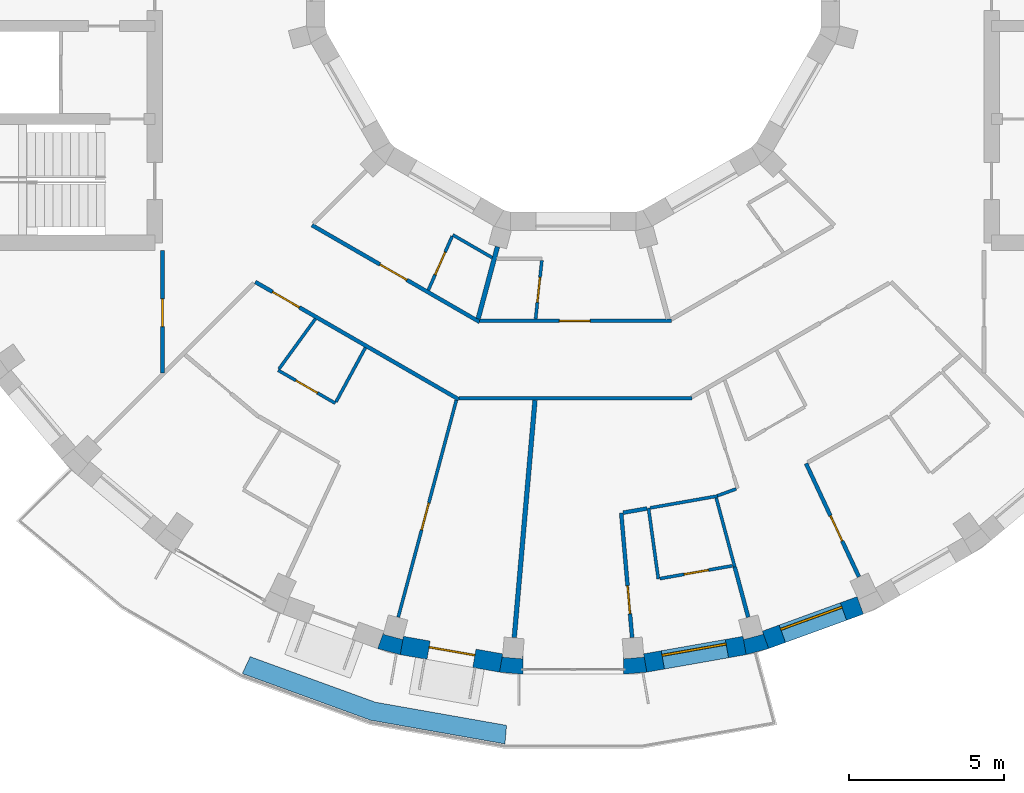
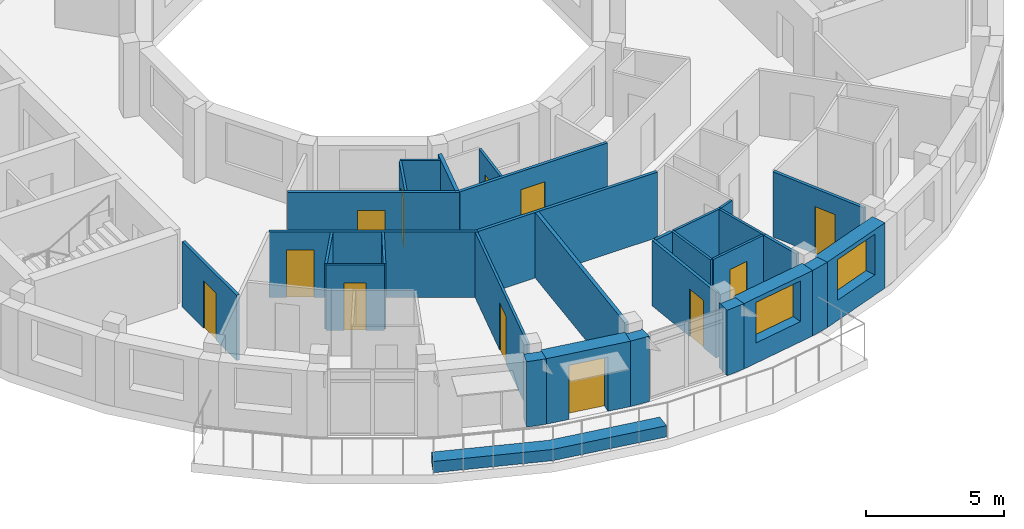
# One storey, part 4 of 12: 31 walls, 12 doors, 2 windows, 14 openings.
"""IFC4 building model written with IfcOpenShell, lengths in metres."""

from ifc_helpers import new_model, si_unit, direction, frame, frame_2d, origin, place, context, subcontext, project, spatial, polyline, rectangle, outline, extrude, material, layer, layer_set, type_object, element, fill, save


model = new_model("IFC4")

# Units and contexts
model_context = context("Model", 3, precision=1e-05, world=origin(), true_north=direction((0.0, 1.0)))
body_context = subcontext(model_context, "Body", "Model", "MODEL_VIEW")
ifc_project = project(units=[si_unit("LENGTHUNIT", "METRE"), si_unit("AREAUNIT", "SQUARE_METRE"), si_unit("VOLUMEUNIT", "CUBIC_METRE"), si_unit("PLANEANGLEUNIT", "RADIAN"), si_unit("MASSUNIT", "GRAM", prefix="KILO")], contexts=[model_context])

# Site, building, storey
site_placement = place(None, origin())
site = spatial("IfcSite", under=ifc_project, at=site_placement, CompositionType="ELEMENT")
building_placement = place(site_placement, origin())
building = spatial("IfcBuilding", under=site, at=building_placement, Name="Saqina Gate Tower", CompositionType="ELEMENT")
storey_placement = place(building_placement, frame((0.0, 0.0, 269.300048828125)))
storey = spatial("IfcBuildingStorey", under=building, at=storey_placement, Name="L77", CompositionType="ELEMENT", Elevation=269.300048828125)

# Walls
ifc_material_1 = material(Name="Brick masonry (buff)", Category="masonry")
wall_type_1 = type_object("IfcWallType", Name="BRICK PIER COPING BUFF", PredefinedType="SOLIDWALL", material=ifc_material_1)
wall_1_placement = place(storey_placement, origin())
element("IfcWall", 1, at=wall_1_placement, inside=storey, type_object=wall_type_1, Name="Pier cap L77 column 26", PredefinedType="SOLIDWALL", context=body_context, shape_type="SweptSolid", body=[
    extrude(outline(polyline([(-5.579833984375, -22.281982421875), (-5.4755859375, -21.691162109375), (-5.5029296875, -21.793212890625), (-6.130859375, -21.625), (-6.103515625, -21.52294921875), (-6.30859375, -22.0869140625), (-5.579833984375, -22.281982421875)])), origin(), (0.0, 0.0, 1.0), 2.89990234375),
])
wall_2_placement = place(storey_placement, origin())
element("IfcWall", 2, at=wall_2_placement, inside=storey, type_object=wall_type_1, Name="Pier cap L77 column 27", PredefinedType="SOLIDWALL", context=body_context, shape_type="SweptSolid", body=[
    extrude(outline(polyline([(-2.377685546875, -22.8466796875), (-1.625732421875, -22.91259765625), (-1.625732421875, -22.3125), (-1.635009765625, -22.417724609375), (-2.28271484375, -22.361083984375), (-2.2734375, -22.255859375), (-2.377685546875, -22.8466796875)])), origin(), (0.0, 0.0, 1.0), 2.89990234375),
])
wall_3_placement = place(storey_placement, origin())
element("IfcWall", 3, at=wall_3_placement, inside=storey, type_object=wall_type_1, Name="Pier cap L77 column 28", PredefinedType="SOLIDWALL", context=body_context, shape_type="SweptSolid", body=[
    extrude(outline(polyline([(1.625732421875, -22.91259765625), (2.377685546875, -22.8466796875), (2.2734375, -22.255859375), (2.28271484375, -22.361083984375), (1.635009765625, -22.417724609375), (1.625732421875, -22.3125), (1.625732421875, -22.91259765625)])), origin(), (0.0, 0.0, 1.0), 2.89990234375),
])
wall_4_placement = place(storey_placement, origin())
element("IfcWall", 4, at=wall_4_placement, inside=storey, type_object=wall_type_1, Name="Pier cap L77 column 29", PredefinedType="SOLIDWALL", context=body_context, shape_type="SweptSolid", body=[
    extrude(outline(polyline([(6.30859375, -22.0869140625), (6.103515625, -21.52294921875), (6.130859375, -21.625), (5.5029296875, -21.793212890625), (5.4755859375, -21.691162109375), (5.579833984375, -22.281982421875), (6.30859375, -22.0869140625)])), origin(), (0.0, 0.0, 1.0), 2.89990234375),
])

# Wall, opening, door
ifc_material_2 = material(Name="Brick masonry (buff)", Category="masonry")
ifc_layer_1 = layer(ifc_material_2, 0.60009765625)
ifc_layer_set_1 = layer_set([ifc_layer_1], Name="FW-BRICK-BUFF")
wall_type_2 = type_object("IfcWallType", Name="FW-BRICK-BUFF", PredefinedType="SOLIDWALL", material=ifc_layer_set_1)
wall_5_placement = place(storey_placement, frame((-5.52783203125, -21.986572265625, 0.0), z_axis=(0.0, 0.0, 1.0), x_axis=(0.984806225186, -0.173656842178, 0.0)))
wall_5 = element("IfcWall", 5, at=wall_5_placement, inside=storey, type_object=wall_type_2, Name="Facade wall L77 facet 26", PredefinedType="SOLIDWALL", context=body_context, shape_type="SweptSolid", body=[
    extrude(rectangle(XDim=3.251708984375, YDim=0.60009765625, at=frame_2d((1.6259765625, 0.0))), origin(), (0.0, 0.0, 1.0), 2.89990234375),
])
opening_1_placement = place(wall_5_placement, frame((0.875732421875, 0.0, 0.0)))
opening_1 = element("IfcOpeningElement", 6, at=opening_1_placement, cuts=wall_5, Name="Opening G23-D81", PredefinedType="OPENING", context=body_context, shape_type="SweptSolid", body=[
    extrude(rectangle(XDim=1.5, YDim=2.39990234375, at=frame_2d((0.75, 1.199951171875))), frame((0.0, 0.31201171875, 0.0), z_axis=(0.0, -1.0, 0.0), x_axis=(1.0, 0.0, 0.0)), (0.0, 0.0, 1.0), 0.6240234375),
])
ifc_material_3 = material(Name="Aluminium glazing", Category="aluminium")
door_type_1 = type_object("IfcDoorType", Name="GD-D", OperationType="DOUBLE_DOOR_SINGLE_SWING", PredefinedType="DOOR", material=ifc_material_3)
door_1_placement = place(opening_1_placement, frame((1.5, 0.0, 0.0), z_axis=(0.0, 0.0, 1.0), x_axis=(-1.0, 0.0, 0.0)))
door_1 = element("IfcDoor", 7, at=door_1_placement, inside=storey, type_object=door_type_1, Name="Terrace door L77 facet 26", OperationType="DOUBLE_DOOR_SINGLE_SWING", OverallHeight=2.39990234375, OverallWidth=1.5, PredefinedType="DOOR", context=body_context, shape_type="SweptSolid", body=[
    extrude(rectangle(XDim=1.5, YDim=2.39990234375, at=frame_2d((0.75, 1.199951171875))), frame((0.0, -0.0751953125, 0.0), z_axis=(0.0, -1.0, 0.0), x_axis=(1.0, 0.0, 0.0)), (0.0, 0.0, 1.0), 0.050048828125),
])
fill(opening_1, door_1)

# Wall, opening, window
wall_6_placement = place(storey_placement, frame((2.325439453125, -22.55126953125, 0.0), z_axis=(0.0, 0.0, 1.0), x_axis=(0.984806225186, 0.173656842178, 0.0)))
wall_6 = element("IfcWall", 8, at=wall_6_placement, inside=storey, type_object=wall_type_2, Name="Facade wall L77 facet 28", PredefinedType="SOLIDWALL", context=body_context, shape_type="SweptSolid", body=[
    extrude(rectangle(XDim=3.251708984375, YDim=0.60009765625, at=frame_2d((1.6259765625, 0.0))), origin(), (0.0, 0.0, 1.0), 2.89990234375),
])
opening_2_placement = place(wall_6_placement, frame((0.57568359375, 0.0, 0.89990234375)))
opening_2 = element("IfcOpeningElement", 9, at=opening_2_placement, cuts=wall_6, Name="Opening G23-W17", PredefinedType="OPENING", context=body_context, shape_type="SweptSolid", body=[
    extrude(rectangle(XDim=2.10009765625, YDim=1.800048828125, at=frame_2d((1.050048828125, 0.89990234375))), frame((0.0, 0.31201171875, 0.0), z_axis=(0.0, -1.0, 0.0), x_axis=(1.0, 0.0, 0.0)), (0.0, 0.0, 1.0), 0.6240234375),
])
ifc_material_4 = material(Name="Aluminium glazing", Category="aluminium")
window_type = type_object("IfcWindowType", Name="WN-D", PartitioningType="SINGLE_PANEL", PredefinedType="WINDOW", material=ifc_material_4)
window_1_placement = place(opening_2_placement, origin())
window_1 = element("IfcWindow", 10, at=window_1_placement, inside=storey, type_object=window_type, Name="Window L77 facet 28", OverallHeight=1.800048828125, OverallWidth=2.10009765625, PartitioningType="SINGLE_PANEL", PredefinedType="WINDOW", context=body_context, shape_type="SweptSolid", body=[
    extrude(rectangle(XDim=2.10009765625, YDim=1.800048828125, at=frame_2d((1.050048828125, 0.89990234375))), frame((0.0, 0.179931640625, 0.0), z_axis=(0.0, -1.0, 0.0), x_axis=(1.0, 0.0, 0.0)), (0.0, 0.0, 1.0), 0.06005859375),
])
fill(opening_2, window_1)

wall_7_placement = place(storey_placement, frame((6.2060546875, -21.804931640625, 0.0), z_axis=(0.0, 0.0, 1.0), x_axis=(0.939679383794, 0.342056509473, 0.0)))
wall_7 = element("IfcWall", 11, at=wall_7_placement, inside=storey, type_object=wall_type_2, Name="Facade wall L77 facet 29", PredefinedType="SOLIDWALL", context=body_context, shape_type="SweptSolid", body=[
    extrude(rectangle(XDim=3.251708984375, YDim=0.60009765625, at=frame_2d((1.6259765625, 0.0))), origin(), (0.0, 0.0, 1.0), 2.89990234375),
])
opening_3_placement = place(wall_7_placement, frame((0.57568359375, 0.0, 0.89990234375)))
opening_3 = element("IfcOpeningElement", 12, at=opening_3_placement, cuts=wall_7, Name="Opening G23-W18", PredefinedType="OPENING", context=body_context, shape_type="SweptSolid", body=[
    extrude(rectangle(XDim=2.10009765625, YDim=1.800048828125, at=frame_2d((1.050048828125, 0.89990234375))), frame((0.0, 0.31201171875, 0.0), z_axis=(0.0, -1.0, 0.0), x_axis=(1.0, 0.0, 0.0)), (0.0, 0.0, 1.0), 0.6240234375),
])
window_2_placement = place(opening_3_placement, origin())
window_2 = element("IfcWindow", 13, at=window_2_placement, inside=storey, type_object=window_type, Name="Window L77 facet 29", OverallHeight=1.800048828125, OverallWidth=2.10009765625, PartitioningType="SINGLE_PANEL", PredefinedType="WINDOW", context=body_context, shape_type="SweptSolid", body=[
    extrude(rectangle(XDim=2.10009765625, YDim=1.800048828125, at=frame_2d((1.050048828125, 0.89990234375))), frame((0.0, 0.179931640625, 0.0), z_axis=(0.0, -1.0, 0.0), x_axis=(1.0, 0.0, 0.0)), (0.0, 0.0, 1.0), 0.06005859375),
])
fill(opening_3, window_2)

# Walls
ifc_material_5 = material(Name="Gypsum board on steel studs, 100 mm", Category="steel")
ifc_layer_2 = layer(ifc_material_5, 0.10009765625)
ifc_layer_set_2 = layer_set([ifc_layer_2], Name="PARTITION 100")
wall_type_3 = type_object("IfcWallType", Name="PARTITION 100", PredefinedType="PARTITIONING", material=ifc_layer_set_2)
wall_8_placement = place(storey_placement, frame((2.430908203125, -17.556884765625, 0.0), z_axis=(0.0, 0.0, 1.0), x_axis=(0.137351585164, -0.990522358179, 0.0)))
element("IfcWall", 14, at=wall_8_placement, inside=storey, type_object=wall_type_3, Name="PARTITION PW3-03", PredefinedType="PARTITIONING", context=body_context, shape_type="SweptSolid", body=[
    extrude(rectangle(XDim=2.3017578125, YDim=0.10009765625, at=frame_2d((1.15087890625, 0.0))), origin(), (0.0, 0.0, 1.0), 2.89990234375),
])
wall_9_placement = place(storey_placement, frame((4.614501953125, -17.222412109375, 0.0), z_axis=(0.0, 0.0, 1.0), x_axis=(0.259222412409, -0.965817654066, 0.0)))
element("IfcWall", 15, at=wall_9_placement, inside=storey, type_object=wall_type_3, Name="PARTITION PW3-06", PredefinedType="PARTITIONING", context=body_context, shape_type="SweptSolid", body=[
    extrude(rectangle(XDim=2.308349609375, YDim=0.10009765625, at=frame_2d((1.154296875, 0.0))), origin(), (0.0, 0.0, 1.0), 2.89990234375),
])

# Wall, opening, door
wall_10_placement = place(storey_placement, frame((-9.52099609375, -13.10498046875, 0.0), z_axis=(0.0, 0.0, 1.0), x_axis=(0.865878308353, -0.500254690257, 0.0)))
wall_10 = element("IfcWall", 16, at=wall_10_placement, inside=storey, type_object=wall_type_3, Name="PARTITION PW3-20", PredefinedType="PARTITIONING", context=body_context, shape_type="SweptSolid", body=[
    extrude(rectangle(XDim=2.130859375, YDim=0.10009765625, at=frame_2d((1.0654296875, 0.0))), origin(), (0.0, 0.0, 1.0), 2.89990234375),
])
opening_4_placement = place(wall_10_placement, frame((0.665283203125, 0.0, 0.0)))
opening_4 = element("IfcOpeningElement", 17, at=opening_4_placement, cuts=wall_10, Name="Opening G23-D24", PredefinedType="OPENING", context=body_context, shape_type="SweptSolid", body=[
    extrude(rectangle(XDim=0.800048828125, YDim=2.10009765625, at=frame_2d((0.39990234375, 1.050048828125))), frame((0.0, 0.06201171875, 0.0), z_axis=(0.0, -1.0, 0.0), x_axis=(1.0, 0.0, 0.0)), (0.0, 0.0, 1.0), 0.1240234375),
])
ifc_material_6 = material(Name="Timber door leaf, 800 mm", Category="wood")
door_type_2 = type_object("IfcDoorType", Name="DOOR 800 TIMBER", OperationType="SINGLE_SWING_LEFT", PredefinedType="DOOR", material=ifc_material_6)
door_2_placement = place(opening_4_placement, frame((0.800048828125, 0.0, 0.0), z_axis=(0.0, 0.0, 1.0), x_axis=(-1.0, 0.0, 0.0)))
door_2 = element("IfcDoor", 18, at=door_2_placement, inside=storey, type_object=door_type_2, Name="DOOR G23-D24", OperationType="SINGLE_SWING_RIGHT", OverallHeight=2.10009765625, OverallWidth=0.800048828125, PredefinedType="DOOR", context=body_context, shape_type="SweptSolid", body=[
    extrude(rectangle(XDim=0.800048828125, YDim=2.10009765625, at=frame_2d((0.39990234375, 1.050048828125))), frame((0.0, 0.02490234375, 0.0), z_axis=(0.0, -1.0, 0.0), x_axis=(1.0, 0.0, 0.0)), (0.0, 0.0, 1.0), 0.050048828125),
])
fill(opening_4, door_2)

# Wall
wall_11_placement = place(storey_placement, frame((-3.884033203125, -8.739013671875, 0.0), z_axis=(0.0, 0.0, 1.0), x_axis=(0.866146805758, -0.499789666634, 0.0)))
element("IfcWall", 19, at=wall_11_placement, inside=storey, type_object=wall_type_3, Name="PARTITION PW3-21", PredefinedType="PARTITIONING", context=body_context, shape_type="SweptSolid", body=[
    extrude(rectangle(XDim=1.467529296875, YDim=0.10009765625, at=frame_2d((0.73388671875, 0.0))), origin(), (0.0, 0.0, 1.0), 2.89990234375),
])

# Wall, opening, door
wall_12_placement = place(storey_placement, frame((2.796142578125, -19.828369140625, 0.0), z_axis=(0.0, 0.0, 1.0), x_axis=(0.984754600233, 0.173949352742, 0.0)))
wall_12 = element("IfcWall", 20, at=wall_12_placement, inside=storey, type_object=wall_type_3, Name="PARTITION PW3-29", PredefinedType="PARTITIONING", context=body_context, shape_type="SweptSolid", body=[
    extrude(rectangle(XDim=2.37744140625, YDim=0.10009765625, at=frame_2d((1.188720703125, 0.0))), origin(), (0.0, 0.0, 1.0), 2.89990234375),
])
opening_5_placement = place(wall_12_placement, frame((0.794921875, 0.0, 0.0)))
opening_5 = element("IfcOpeningElement", 21, at=opening_5_placement, cuts=wall_12, Name="Opening G23-D32", PredefinedType="OPENING", context=body_context, shape_type="SweptSolid", body=[
    extrude(rectangle(XDim=0.800048828125, YDim=2.10009765625, at=frame_2d((0.39990234375, 1.050048828125))), frame((0.0, 0.06201171875, 0.0), z_axis=(0.0, -1.0, 0.0), x_axis=(1.0, 0.0, 0.0)), (0.0, 0.0, 1.0), 0.1240234375),
])
door_3_placement = place(opening_5_placement, frame((0.800048828125, 0.0, 0.0), z_axis=(0.0, 0.0, 1.0), x_axis=(-1.0, 0.0, 0.0)))
door_3 = element("IfcDoor", 22, at=door_3_placement, inside=storey, type_object=door_type_2, Name="DOOR G23-D32", OperationType="SINGLE_SWING_LEFT", OverallHeight=2.10009765625, OverallWidth=0.800048828125, PredefinedType="DOOR", context=body_context, shape_type="SweptSolid", body=[
    extrude(rectangle(XDim=0.800048828125, YDim=2.10009765625, at=frame_2d((0.39990234375, 1.050048828125))), frame((0.0, 0.02490234375, 0.0), z_axis=(0.0, -1.0, 0.0), x_axis=(1.0, 0.0, 0.0)), (0.0, 0.0, 1.0), 0.050048828125),
])
fill(opening_5, door_3)

# Walls
wall_13_placement = place(storey_placement, frame((2.480224609375, -17.54833984375, 0.0), z_axis=(0.0, 0.0, 1.0), x_axis=(0.984791356236, 0.173741142745, 0.0)))
element("IfcWall", 23, at=wall_13_placement, inside=storey, type_object=wall_type_3, Name="PARTITION PW3-30", PredefinedType="PARTITIONING", context=body_context, shape_type="SweptSolid", body=[
    extrude(rectangle(XDim=2.2060546875, YDim=0.10009765625, at=frame_2d((1.10302734375, 0.0))), origin(), (0.0, 0.0, 1.0), 2.89990234375),
])
wall_14_placement = place(storey_placement, frame((4.64990234375, -17.15625, 0.0), z_axis=(0.0, 0.0, 1.0), x_axis=(0.939771391362, 0.341803645353, 0.0)))
element("IfcWall", 24, at=wall_14_placement, inside=storey, type_object=wall_type_3, Name="PARTITION PW3-33", PredefinedType="PARTITIONING", context=body_context, shape_type="SweptSolid", body=[
    extrude(rectangle(XDim=0.647216796875, YDim=0.10009765625, at=frame_2d((0.32373046875, 0.0))), origin(), (0.0, 0.0, 1.0), 2.89990234375),
])
wall_15_placement = place(storey_placement, frame((-9.49169921875, -13.064453125, 0.0), z_axis=(0.0, 0.0, 1.0), x_axis=(0.587873893167, 0.80895258559, 0.0)))
element("IfcWall", 25, at=wall_15_placement, inside=storey, type_object=wall_type_3, Name="PARTITION PW3-42", PredefinedType="PARTITIONING", context=body_context, shape_type="SweptSolid", body=[
    extrude(rectangle(XDim=1.998779296875, YDim=0.10009765625, at=frame_2d((0.99951171875, 0.0))), origin(), (0.0, 0.0, 1.0), 2.89990234375),
])
wall_16_placement = place(storey_placement, frame((-7.652099609375, -14.126953125, 0.0), z_axis=(0.0, 0.0, 1.0), x_axis=(0.476243596433, 0.879313389444, 0.0)))
element("IfcWall", 26, at=wall_16_placement, inside=storey, type_object=wall_type_3, Name="PARTITION PW3-45", PredefinedType="PARTITIONING", context=body_context, shape_type="SweptSolid", body=[
    extrude(rectangle(XDim=1.988525390625, YDim=0.10009765625, at=frame_2d((0.994140625, 0.0))), origin(), (0.0, 0.0, 1.0), 2.89990234375),
])

# Wall, opening, door
wall_17_placement = place(storey_placement, frame((-4.674560546875, -10.519775390625, 0.0), z_axis=(0.0, 0.0, 1.0), x_axis=(0.40574466239, 0.913986470875, 0.0)))
wall_17 = element("IfcWall", 27, at=wall_17_placement, inside=storey, type_object=wall_type_3, Name="PARTITION PW3-47", PredefinedType="PARTITIONING", context=body_context, shape_type="SweptSolid", body=[
    extrude(rectangle(XDim=1.8984375, YDim=0.10009765625, at=frame_2d((0.94921875, 0.0))), origin(), (0.0, 0.0, 1.0), 2.89990234375),
])
opening_6_placement = place(wall_17_placement, frame((0.54296875, 0.0, 0.0)))
opening_6 = element("IfcOpeningElement", 28, at=opening_6_placement, cuts=wall_17, Name="Opening G23-D27", PredefinedType="OPENING", context=body_context, shape_type="SweptSolid", body=[
    extrude(rectangle(XDim=0.800048828125, YDim=2.10009765625, at=frame_2d((0.39990234375, 1.050048828125))), frame((0.0, 0.06201171875, 0.0), z_axis=(0.0, -1.0, 0.0), x_axis=(1.0, 0.0, 0.0)), (0.0, 0.0, 1.0), 0.1240234375),
])
door_4_placement = place(opening_6_placement, origin())
door_4 = element("IfcDoor", 29, at=door_4_placement, inside=storey, type_object=door_type_2, Name="DOOR G23-D27", OperationType="SINGLE_SWING_LEFT", OverallHeight=2.10009765625, OverallWidth=0.800048828125, PredefinedType="DOOR", context=body_context, shape_type="SweptSolid", body=[
    extrude(rectangle(XDim=0.800048828125, YDim=2.10009765625, at=frame_2d((0.39990234375, 1.050048828125))), frame((0.0, 0.02490234375, 0.0), z_axis=(0.0, -1.0, 0.0), x_axis=(1.0, 0.0, 0.0)), (0.0, 0.0, 1.0), 0.050048828125),
])
fill(opening_6, door_4)

wall_18_placement = place(storey_placement, frame((-5.644287109375, -21.072265625, 0.0), z_axis=(0.0, 0.0, 1.0), x_axis=(0.258605886827, 0.96598291667, 0.0)))
wall_18 = element("IfcWall", 30, at=wall_18_placement, inside=storey, type_object=wall_type_3, Name="PARTITION PW3-48", PredefinedType="PARTITIONING", context=body_context, shape_type="SweptSolid", body=[
    extrude(rectangle(XDim=7.24853515625, YDim=0.10009765625, at=frame_2d((3.624267578125, 0.0))), origin(), (0.0, 0.0, 1.0), 2.89990234375),
])
opening_7_placement = place(wall_18_placement, frame((2.913818359375, 0.0, 0.0)))
opening_7 = element("IfcOpeningElement", 31, at=opening_7_placement, cuts=wall_18, Name="Opening G23-D28", PredefinedType="OPENING", context=body_context, shape_type="SweptSolid", body=[
    extrude(rectangle(XDim=0.89990234375, YDim=2.10009765625, at=frame_2d((0.449951171875, 1.050048828125))), frame((0.0, 0.06201171875, 0.0), z_axis=(0.0, -1.0, 0.0), x_axis=(1.0, 0.0, 0.0)), (0.0, 0.0, 1.0), 0.1240234375),
])
ifc_material_7 = material(Name="Timber door leaf, 900 mm", Category="wood")
door_type_3 = type_object("IfcDoorType", Name="DOOR 900 TIMBER", OperationType="SINGLE_SWING_LEFT", PredefinedType="DOOR", material=ifc_material_7)
door_5_placement = place(opening_7_placement, origin())
door_5 = element("IfcDoor", 32, at=door_5_placement, inside=storey, type_object=door_type_3, Name="DOOR G23-D28", OperationType="SINGLE_SWING_LEFT", OverallHeight=2.10009765625, OverallWidth=0.89990234375, PredefinedType="DOOR", context=body_context, shape_type="SweptSolid", body=[
    extrude(rectangle(XDim=0.89990234375, YDim=2.10009765625, at=frame_2d((0.449951171875, 1.050048828125))), frame((0.0, 0.02490234375, 0.0), z_axis=(0.0, -1.0, 0.0), x_axis=(1.0, 0.0, 0.0)), (0.0, 0.0, 1.0), 0.050048828125),
])
fill(opening_7, door_5)

wall_19_placement = place(storey_placement, frame((-1.21142578125, -11.44775390625, 0.0), z_axis=(0.0, 0.0, 1.0), x_axis=(0.105447867905, 0.99442483233, 0.0)))
wall_19 = element("IfcWall", 33, at=wall_19_placement, inside=storey, type_object=wall_type_3, Name="PARTITION PW3-51", PredefinedType="PARTITIONING", context=body_context, shape_type="SweptSolid", body=[
    extrude(rectangle(XDim=1.8984375, YDim=0.10009765625, at=frame_2d((0.94921875, 0.0))), origin(), (0.0, 0.0, 1.0), 2.89990234375),
])
opening_8_placement = place(wall_19_placement, frame((0.543212890625, 0.0, 0.0)))
opening_8 = element("IfcOpeningElement", 34, at=opening_8_placement, cuts=wall_19, Name="Opening G23-D29", PredefinedType="OPENING", context=body_context, shape_type="SweptSolid", body=[
    extrude(rectangle(XDim=0.800048828125, YDim=2.10009765625, at=frame_2d((0.39990234375, 1.050048828125))), frame((0.0, 0.06201171875, 0.0), z_axis=(0.0, -1.0, 0.0), x_axis=(1.0, 0.0, 0.0)), (0.0, 0.0, 1.0), 0.1240234375),
])
door_6_placement = place(opening_8_placement, frame((0.800048828125, 0.0, 0.0), z_axis=(0.0, 0.0, 1.0), x_axis=(-1.0, 0.0, 0.0)))
door_6 = element("IfcDoor", 35, at=door_6_placement, inside=storey, type_object=door_type_2, Name="DOOR G23-D29", OperationType="SINGLE_SWING_RIGHT", OverallHeight=2.10009765625, OverallWidth=0.800048828125, PredefinedType="DOOR", context=body_context, shape_type="SweptSolid", body=[
    extrude(rectangle(XDim=0.800048828125, YDim=2.10009765625, at=frame_2d((0.39990234375, 1.050048828125))), frame((0.0, 0.02490234375, 0.0), z_axis=(0.0, -1.0, 0.0), x_axis=(1.0, 0.0, 0.0)), (0.0, 0.0, 1.0), 0.050048828125),
])
fill(opening_8, door_6)

ifc_material_8 = material(Name="Gypsum board on steel studs, 125 mm, fire rated", Category="steel")
ifc_layer_3 = layer(ifc_material_8, 0.125)
ifc_layer_set_3 = layer_set([ifc_layer_3], Name="PARTITION EI 30 125")
wall_type_4 = type_object("IfcWallType", Name="PARTITION EI 30 125", PredefinedType="PARTITIONING", material=ifc_layer_set_3)
wall_20_placement = place(storey_placement, frame((1.5498046875, -17.713134765625, 0.0), z_axis=(0.0, 0.0, 1.0), x_axis=(0.087206738893, -0.996190235192, 0.0)))
wall_20 = element("IfcWall", 36, at=wall_20_placement, inside=storey, type_object=wall_type_4, Name="PARTITION PW1-02", PredefinedType="PARTITIONING", context=body_context, shape_type="SweptSolid", body=[
    extrude(rectangle(XDim=4.0341796875, YDim=0.125, at=frame_2d((2.01708984375, 0.0))), origin(), (0.0, 0.0, 1.0), 2.89990234375),
])
opening_9_placement = place(wall_20_placement, frame((2.35888671875, 0.0, 0.0)))
opening_9 = element("IfcOpeningElement", 37, at=opening_9_placement, cuts=wall_20, Name="Opening G23-D31", PredefinedType="OPENING", context=body_context, shape_type="SweptSolid", body=[
    extrude(rectangle(XDim=0.89990234375, YDim=2.10009765625, at=frame_2d((0.449951171875, 1.050048828125))), frame((0.0, 0.074462890625, 0.0), z_axis=(0.0, -1.0, 0.0), x_axis=(1.0, 0.0, 0.0)), (0.0, 0.0, 1.0), 0.14892578125),
])
ifc_material_9 = material(Name="Fire door leaf EI 30, 900 mm")
door_type_4 = type_object("IfcDoorType", Name="DOOR 900 EI 30", OperationType="SINGLE_SWING_LEFT", PredefinedType="DOOR", material=ifc_material_9)
door_7_placement = place(opening_9_placement, frame((0.89990234375, 0.0, 0.0), z_axis=(0.0, 0.0, 1.0), x_axis=(-1.0, 0.0, 0.0)))
door_7 = element("IfcDoor", 38, at=door_7_placement, inside=storey, type_object=door_type_4, Name="DOOR G23-D31", OperationType="SINGLE_SWING_LEFT", OverallHeight=2.10009765625, OverallWidth=0.89990234375, PredefinedType="DOOR", context=body_context, shape_type="SweptSolid", body=[
    extrude(rectangle(XDim=0.89990234375, YDim=2.10009765625, at=frame_2d((0.449951171875, 1.050048828125))), frame((0.0, 0.02490234375, 0.0), z_axis=(0.0, -1.0, 0.0), x_axis=(1.0, 0.0, 0.0)), (0.0, 0.0, 1.0), 0.050048828125),
])
fill(opening_9, door_7)

# Wall
wall_21_placement = place(storey_placement, frame((5.2119140625, -19.452392578125, 0.0), z_axis=(0.0, 0.0, 1.0), x_axis=(0.259221341364, -0.96581794153, 0.0)))
element("IfcWall", 39, at=wall_21_placement, inside=storey, type_object=wall_type_4, Name="PARTITION PW1-03", PredefinedType="PARTITIONING", context=body_context, shape_type="SweptSolid", body=[
    extrude(rectangle(XDim=1.676513671875, YDim=0.125, at=frame_2d((0.83837890625, 0.0))), origin(), (0.0, 0.0, 1.0), 2.89990234375),
])

# Wall, opening, door
wall_22_placement = place(storey_placement, frame((7.513916015625, -16.115966796875, 0.0), z_axis=(0.0, 0.0, 1.0), x_axis=(0.422961674659, -0.90614757174, 0.0)))
wall_22 = element("IfcWall", 40, at=wall_22_placement, inside=storey, type_object=wall_type_4, Name="PARTITION PW1-05", PredefinedType="PARTITIONING", context=body_context, shape_type="SweptSolid", body=[
    extrude(rectangle(XDim=4.03369140625, YDim=0.125, at=frame_2d((2.016845703125, 0.0))), origin(), (0.0, 0.0, 1.0), 2.89990234375),
])
opening_10_placement = place(wall_22_placement, frame((1.857177734375, 0.0, 0.0)))
opening_10 = element("IfcOpeningElement", 41, at=opening_10_placement, cuts=wall_22, Name="Opening G23-D35", PredefinedType="OPENING", context=body_context, shape_type="SweptSolid", body=[
    extrude(rectangle(XDim=0.89990234375, YDim=2.10009765625, at=frame_2d((0.449951171875, 1.050048828125))), frame((0.0, 0.074462890625, 0.0), z_axis=(0.0, -1.0, 0.0), x_axis=(1.0, 0.0, 0.0)), (0.0, 0.0, 1.0), 0.14892578125),
])
door_8_placement = place(opening_10_placement, frame((0.89990234375, 0.0, 0.0), z_axis=(0.0, 0.0, 1.0), x_axis=(-1.0, 0.0, 0.0)))
door_8 = element("IfcDoor", 42, at=door_8_placement, inside=storey, type_object=door_type_4, Name="DOOR G23-D35", OperationType="SINGLE_SWING_LEFT", OverallHeight=2.10009765625, OverallWidth=0.89990234375, PredefinedType="DOOR", context=body_context, shape_type="SweptSolid", body=[
    extrude(rectangle(XDim=0.89990234375, YDim=2.10009765625, at=frame_2d((0.449951171875, 1.050048828125))), frame((0.0, 0.02490234375, 0.0), z_axis=(0.0, -1.0, 0.0), x_axis=(1.0, 0.0, 0.0)), (0.0, 0.0, 1.0), 0.050048828125),
])
fill(opening_10, door_8)

wall_23_placement = place(storey_placement, frame((-10.256103515625, -10.256103515625, 0.0), z_axis=(0.0, 0.0, 1.0), x_axis=(0.866032740159, -0.499987292811, 0.0)))
wall_23 = element("IfcWall", 43, at=wall_23_placement, inside=storey, type_object=wall_type_4, Name="PARTITION PW1-13", PredefinedType="PARTITIONING", context=body_context, shape_type="SweptSolid", body=[
    extrude(rectangle(XDim=7.580810546875, YDim=0.125, at=frame_2d((3.79052734375, 0.0))), origin(), (0.0, 0.0, 1.0), 2.89990234375),
])
opening_11_placement = place(wall_23_placement, frame((0.640869140625, 0.0, 0.0)))
opening_11 = element("IfcOpeningElement", 44, at=opening_11_placement, cuts=wall_23, Name="Opening G23-D22", PredefinedType="OPENING", context=body_context, shape_type="SweptSolid", body=[
    extrude(rectangle(XDim=1.0, YDim=2.10009765625, at=frame_2d((0.5, 1.050048828125))), frame((0.0, 0.074462890625, 0.0), z_axis=(0.0, -1.0, 0.0), x_axis=(1.0, 0.0, 0.0)), (0.0, 0.0, 1.0), 0.14892578125),
])
ifc_material_10 = material(Name="Fire door leaf EI 30, 1000 mm")
door_type_5 = type_object("IfcDoorType", Name="DOOR 1000 EI 30", OperationType="SINGLE_SWING_LEFT", PredefinedType="DOOR", material=ifc_material_10)
door_9_placement = place(opening_11_placement, frame((1.0, 0.0, 0.0), z_axis=(0.0, 0.0, 1.0), x_axis=(-1.0, 0.0, 0.0)))
door_9 = element("IfcDoor", 45, at=door_9_placement, inside=storey, type_object=door_type_5, Name="DOOR G23-D22", OperationType="SINGLE_SWING_LEFT", OverallHeight=2.10009765625, OverallWidth=1.0, PredefinedType="DOOR", context=body_context, shape_type="SweptSolid", body=[
    extrude(rectangle(XDim=1.0, YDim=2.10009765625, at=frame_2d((0.5, 1.050048828125))), frame((0.0, 0.02490234375, 0.0), z_axis=(0.0, -1.0, 0.0), x_axis=(1.0, 0.0, 0.0)), (0.0, 0.0, 1.0), 0.050048828125),
])
fill(opening_11, door_9)

wall_24_placement = place(storey_placement, frame((-8.426025390625, -8.426025390625, 0.0), z_axis=(0.0, 0.0, 1.0), x_axis=(0.866039004929, -0.499976441387, 0.0)))
wall_24 = element("IfcWall", 46, at=wall_24_placement, inside=storey, type_object=wall_type_4, Name="PARTITION PW1-14", PredefinedType="PARTITIONING", context=body_context, shape_type="SweptSolid", body=[
    extrude(rectangle(XDim=6.240478515625, YDim=0.125, at=frame_2d((3.1201171875, 0.0))), origin(), (0.0, 0.0, 1.0), 2.89990234375),
])
opening_12_placement = place(wall_24_placement, frame((2.53369140625, 0.0, 0.0)))
opening_12 = element("IfcOpeningElement", 47, at=opening_12_placement, cuts=wall_24, Name="Opening G23-D25", PredefinedType="OPENING", context=body_context, shape_type="SweptSolid", body=[
    extrude(rectangle(XDim=1.0, YDim=2.10009765625, at=frame_2d((0.5, 1.050048828125))), frame((0.0, 0.074462890625, 0.0), z_axis=(0.0, -1.0, 0.0), x_axis=(1.0, 0.0, 0.0)), (0.0, 0.0, 1.0), 0.14892578125),
])
door_10_placement = place(opening_12_placement, origin())
door_10 = element("IfcDoor", 48, at=door_10_placement, inside=storey, type_object=door_type_5, Name="DOOR G23-D25", OperationType="SINGLE_SWING_LEFT", OverallHeight=2.10009765625, OverallWidth=1.0, PredefinedType="DOOR", context=body_context, shape_type="SweptSolid", body=[
    extrude(rectangle(XDim=1.0, YDim=2.10009765625, at=frame_2d((0.5, 1.050048828125))), frame((0.0, 0.02490234375, 0.0), z_axis=(0.0, -1.0, 0.0), x_axis=(1.0, 0.0, 0.0)), (0.0, 0.0, 1.0), 0.050048828125),
])
fill(opening_12, door_10)

# Wall
wall_25_placement = place(storey_placement, frame((-3.69091796875, -14.010009765625, 0.0), z_axis=(0.0, 0.0, 1.0), x_axis=(1.0, 0.0, 0.0)))
element("IfcWall", 49, at=wall_25_placement, inside=storey, type_object=wall_type_4, Name="PARTITION PW1-18", PredefinedType="PARTITIONING", context=body_context, shape_type="SweptSolid", body=[
    extrude(rectangle(XDim=7.51708984375, YDim=0.125, at=frame_2d((3.758544921875, 0.0))), origin(), (0.0, 0.0, 1.0), 2.89990234375),
])

# Wall, opening, door
wall_26_placement = place(storey_placement, frame((-3.021484375, -11.510009765625, 0.0), z_axis=(0.0, 0.0, 1.0), x_axis=(1.0, 0.0, 0.0)))
wall_26 = element("IfcWall", 50, at=wall_26_placement, inside=storey, type_object=wall_type_4, Name="PARTITION PW1-19", PredefinedType="PARTITIONING", context=body_context, shape_type="SweptSolid", body=[
    extrude(rectangle(XDim=6.192138671875, YDim=0.125, at=frame_2d((3.09619140625, 0.0))), origin(), (0.0, 0.0, 1.0), 2.89990234375),
])
opening_13_placement = place(wall_26_placement, frame((2.572021484375, 0.0, 0.0)))
opening_13 = element("IfcOpeningElement", 51, at=opening_13_placement, cuts=wall_26, Name="Opening G23-D30", PredefinedType="OPENING", context=body_context, shape_type="SweptSolid", body=[
    extrude(rectangle(XDim=1.0, YDim=2.10009765625, at=frame_2d((0.5, 1.050048828125))), frame((0.0, 0.074462890625, 0.0), z_axis=(0.0, -1.0, 0.0), x_axis=(1.0, 0.0, 0.0)), (0.0, 0.0, 1.0), 0.14892578125),
])
door_11_placement = place(opening_13_placement, origin())
door_11 = element("IfcDoor", 52, at=door_11_placement, inside=storey, type_object=door_type_5, Name="DOOR G23-D30", OperationType="SINGLE_SWING_LEFT", OverallHeight=2.10009765625, OverallWidth=1.0, PredefinedType="DOOR", context=body_context, shape_type="SweptSolid", body=[
    extrude(rectangle(XDim=1.0, YDim=2.10009765625, at=frame_2d((0.5, 1.050048828125))), frame((0.0, 0.02490234375, 0.0), z_axis=(0.0, -1.0, 0.0), x_axis=(1.0, 0.0, 0.0)), (0.0, 0.0, 1.0), 0.050048828125),
])
fill(opening_13, door_11)

# Wall
wall_27_placement = place(storey_placement, frame((1.611572265625, -17.701171875, 0.0), z_axis=(0.0, 0.0, 1.0), x_axis=(0.984877691651, 0.173251067786, 0.0)))
element("IfcWall", 53, at=wall_27_placement, inside=storey, type_object=wall_type_4, Name="PARTITION PW1-22", PredefinedType="PARTITIONING", context=body_context, shape_type="SweptSolid", body=[
    extrude(rectangle(XDim=0.781982421875, YDim=0.125, at=frame_2d((0.39111328125, 0.0))), origin(), (0.0, 0.0, 1.0), 2.89990234375),
])

# Wall, opening, door
wall_28_placement = place(storey_placement, frame((-13.25, -13.1875, 0.0), z_axis=(0.0, 0.0, 1.0), x_axis=(0.0, 1.0, 0.0)))
wall_28 = element("IfcWall", 54, at=wall_28_placement, inside=storey, type_object=wall_type_4, Name="PARTITION PW1-41", PredefinedType="PARTITIONING", context=body_context, shape_type="SweptSolid", body=[
    extrude(rectangle(XDim=3.9375, YDim=0.125, at=frame_2d((1.96875, 0.0))), origin(), (0.0, 0.0, 1.0), 2.89990234375),
])
opening_14_placement = place(wall_28_placement, frame((1.487548828125, 0.0, 0.0)))
opening_14 = element("IfcOpeningElement", 55, at=opening_14_placement, cuts=wall_28, Name="Opening G23-D21", PredefinedType="OPENING", context=body_context, shape_type="SweptSolid", body=[
    extrude(rectangle(XDim=0.89990234375, YDim=2.10009765625, at=frame_2d((0.449951171875, 1.050048828125))), frame((0.0, 0.074462890625, 0.0), z_axis=(0.0, -1.0, 0.0), x_axis=(1.0, 0.0, 0.0)), (0.0, 0.0, 1.0), 0.14892578125),
])
door_12_placement = place(opening_14_placement, origin())
door_12 = element("IfcDoor", 56, at=door_12_placement, inside=storey, type_object=door_type_4, Name="DOOR G23-D21", OperationType="SINGLE_SWING_LEFT", OverallHeight=2.10009765625, OverallWidth=0.89990234375, PredefinedType="DOOR", context=body_context, shape_type="SweptSolid", body=[
    extrude(rectangle(XDim=0.89990234375, YDim=2.10009765625, at=frame_2d((0.449951171875, 1.050048828125))), frame((0.0, 0.02490234375, 0.0), z_axis=(0.0, -1.0, 0.0), x_axis=(1.0, 0.0, 0.0)), (0.0, 0.0, 1.0), 0.050048828125),
])
fill(opening_14, door_12)

# Walls
ifc_material_11 = material(Name="Gypsum board on steel studs, 150 mm, fire rated", Category="steel")
ifc_layer_4 = layer(ifc_material_11, 0.14990234375)
ifc_layer_set_4 = layer_set([ifc_layer_4], Name="PARTITION EI 60 150")
wall_type_5 = type_object("IfcWallType", Name="PARTITION EI 60 150", PredefinedType="PARTITIONING", material=ifc_layer_set_4)
wall_29_placement = place(storey_placement, frame((-3.067626953125, -11.44970703125, 0.0), z_axis=(0.0, 0.0, 1.0), x_axis=(0.258796817064, 0.965931782, 0.0)))
element("IfcWall", 57, at=wall_29_placement, inside=storey, type_object=wall_type_5, Name="PARTITION PW2-05", PredefinedType="PARTITIONING", context=body_context, shape_type="SweptSolid", body=[
    extrude(rectangle(XDim=2.4111328125, YDim=0.14990234375, at=frame_2d((1.20556640625, 0.0))), origin(), (0.0, 0.0, 1.0), 2.89990234375),
])
wall_30_placement = place(storey_placement, frame((-1.9013671875, -21.73193359375, 0.0), z_axis=(0.0, 0.0, 1.0), x_axis=(0.087062572149, 0.996202845073, 0.0)))
element("IfcWall", 58, at=wall_30_placement, inside=storey, type_object=wall_type_5, Name="PARTITION PW2-06", PredefinedType="PARTITIONING", context=body_context, shape_type="SweptSolid", body=[
    extrude(rectangle(XDim=7.689208984375, YDim=0.14990234375, at=frame_2d((3.8447265625, 0.0))), origin(), (0.0, 0.0, 1.0), 2.89990234375),
])
ifc_material_12 = material(Name="Brick masonry (red)", Category="masonry")
ifc_layer_5 = layer(ifc_material_12, 0.60009765625)
ifc_layer_set_5 = layer_set([ifc_layer_5], Name="PL-PLANTER")
wall_type_6 = type_object("IfcWallType", Name="PL-PLANTER", PredefinedType="PARAPET", material=ifc_layer_set_5)
wall_31_placement = place(storey_placement, origin())
element("IfcWall", 59, at=wall_31_placement, inside=storey, type_object=wall_type_6, Name="Planter L77", PredefinedType="PARAPET", context=body_context, shape_type="SweptSolid", body=[
    extrude(outline(polyline([(-10.6748046875, -22.89208984375), (-6.537353515625, -24.39794921875), (-2.201416015625, -25.16259765625), (-2.14892578125, -24.5625), (-6.381591796875, -23.816162109375), (-10.420166015625, -22.34619140625), (-10.6748046875, -22.89208984375)])), origin(), (0.0, 0.0, 1.0), 0.5),
])

save(model, "model.ifc")
